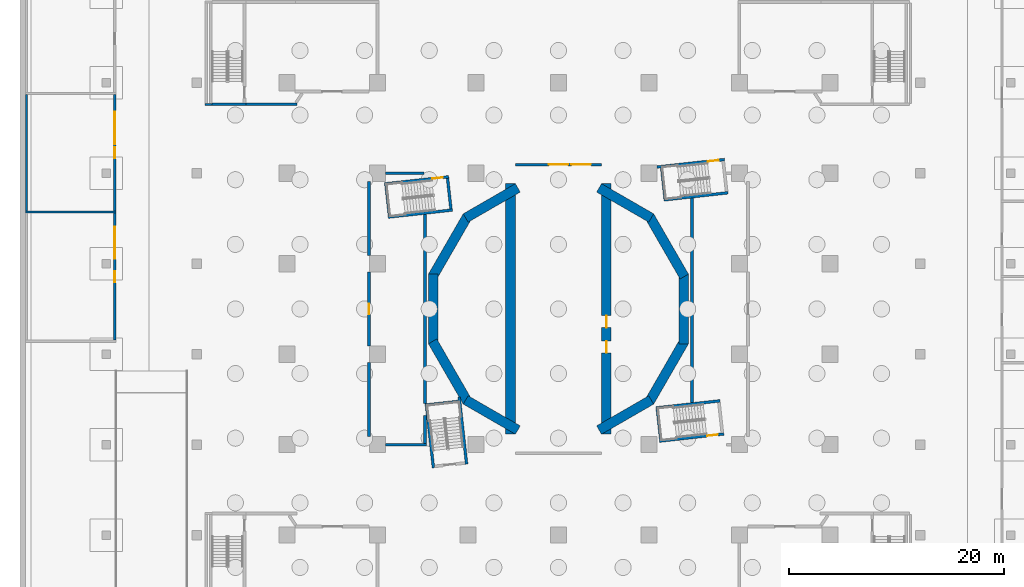
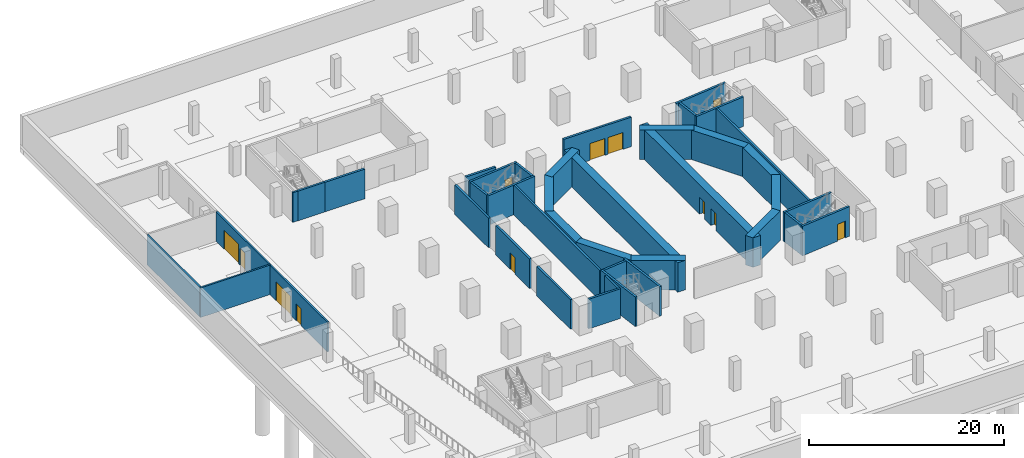
# One storey, part 7 of 20: 41 walls, 12 doors, 12 openings.
"""IFC4 building model written with IfcOpenShell, lengths in metres."""

from ifc_helpers import new_model, si_unit, direction, frame, frame_2d, origin, place, context, subcontext, project, spatial, rectangle, extrude, material, layer, layer_set, type_object, element, fill, save


model = new_model("IFC4")

# Units and contexts
model_context = context("Model", 3, precision=1e-05, world=origin(), true_north=direction((0.0, 1.0)))
body_context = subcontext(model_context, "Body", "Model", "MODEL_VIEW")
ifc_project = project(units=[si_unit("LENGTHUNIT", "METRE"), si_unit("AREAUNIT", "SQUARE_METRE"), si_unit("VOLUMEUNIT", "CUBIC_METRE"), si_unit("PLANEANGLEUNIT", "RADIAN"), si_unit("MASSUNIT", "GRAM", prefix="KILO")], contexts=[model_context])

# Site, building, storey
site_placement = place(None, origin())
site = spatial("IfcSite", under=ifc_project, at=site_placement, CompositionType="ELEMENT")
building_placement = place(site_placement, origin())
building = spatial("IfcBuilding", under=site, at=building_placement, Name="Cantera Rosa Tower", CompositionType="ELEMENT")
storey_placement = place(building_placement, frame((0.0, 0.0, -17.0)))
storey = spatial("IfcBuildingStorey", under=building, at=storey_placement, Name="B4", CompositionType="ELEMENT", Elevation=-17.0)

# Wall
ifc_material_1 = material(Name="Masonry blockwork", Category="masonry")
ifc_layer_1 = layer(ifc_material_1, 0.199951171875)
ifc_layer_set_1 = layer_set([ifc_layer_1], Name="Blockwork partition 200")
wall_type_1 = type_object("IfcWallType", Name="Blockwork partition 200", PredefinedType="PARTITIONING", material=ifc_layer_set_1)
wall_1_placement = place(storey_placement, frame((-32.800048828125, 19.0, 0.0), z_axis=(0.0, 0.0, 1.0), x_axis=(1.0, 0.0, 0.0)))
element("IfcWall", 1, at=wall_1_placement, inside=storey, type_object=wall_type_1, Name="Partition B4-27", PredefinedType="PARTITIONING", context=body_context, shape_type="SweptSolid", body=[
    extrude(rectangle(XDim=0.625, YDim=0.199951171875, at=frame_2d((0.3125, 0.0))), origin(), (0.0, 0.0, 1.0), 3.699951171875),
])

# Wall, openings, doors
wall_2_placement = place(storey_placement, frame((-41.199951171875, -2.89990234375, 0.0), z_axis=(0.0, 0.0, 1.0), x_axis=(0.0, 1.0, 0.0)))
wall_2 = element("IfcWall", 2, at=wall_2_placement, inside=storey, type_object=wall_type_1, Name="Partition B4-81", PredefinedType="PARTITIONING", context=body_context, shape_type="SweptSolid", body=[
    extrude(rectangle(XDim=11.7998046875, YDim=0.199951171875, at=frame_2d((5.89990234375, 0.0))), origin(), (0.0, 0.0, 1.0), 3.699951171875),
])
opening_1_placement = place(wall_2_placement, frame((5.39990234375, 0.0, 0.0)))
opening_1 = element("IfcOpeningElement", 3, at=opening_1_placement, cuts=wall_2, Name="Opening B4-017", PredefinedType="OPENING", context=body_context, shape_type="SweptSolid", body=[
    extrude(rectangle(XDim=1.0, YDim=2.10009765625, at=frame_2d((0.5, 1.050048828125))), frame((0.0, 0.10986328125, 0.0), z_axis=(0.0, -1.0, 0.0), x_axis=(1.0, 0.0, 0.0)), (0.0, 0.0, 1.0), 0.219970703125),
])
opening_2_placement = place(wall_2_placement, frame((7.550048828125, 0.0, 0.0)))
opening_2 = element("IfcOpeningElement", 4, at=opening_2_placement, cuts=wall_2, Name="Opening B4-018", PredefinedType="OPENING", context=body_context, shape_type="SweptSolid", body=[
    extrude(rectangle(XDim=3.0, YDim=2.39990234375, at=frame_2d((1.5, 1.199951171875))), frame((0.0, 0.10986328125, 0.0), z_axis=(0.0, -1.0, 0.0), x_axis=(1.0, 0.0, 0.0)), (0.0, 0.0, 1.0), 0.219970703125),
])
ifc_material_2 = material(Name="Timber", Category="wood")
door_type_1 = type_object("IfcDoorType", Name="Door 1000x2100", OperationType="NOTDEFINED", PredefinedType="DOOR", material=ifc_material_2)
door_1_placement = place(opening_1_placement, origin())
door_1 = element("IfcDoor", 5, at=door_1_placement, inside=storey, type_object=door_type_1, Name="Door B4-017", OverallHeight=2.10009765625, OverallWidth=1.0, PredefinedType="DOOR", context=body_context, shape_type="SweptSolid", body=[
    extrude(rectangle(XDim=1.0, YDim=2.10009765625, at=frame_2d((0.5, 1.050048828125))), frame((0.0, 0.02490234375, 0.0), z_axis=(0.0, -1.0, 0.0), x_axis=(1.0, 0.0, 0.0)), (0.0, 0.0, 1.0), 0.050048828125),
])
fill(opening_1, door_1)
ifc_material_3 = material(Name="Steel S355J2 (EN 10025-2)", Category="steel")
door_type_2 = type_object("IfcDoorType", Name="Roller shutter gate 3000x2400", OperationType="NOTDEFINED", PredefinedType="GATE", material=ifc_material_3)
door_2_placement = place(opening_2_placement, origin())
door_2 = element("IfcDoor", 6, at=door_2_placement, inside=storey, type_object=door_type_2, Name="Door B4-018", OperationType="ROLLINGUP", OverallHeight=2.39990234375, OverallWidth=3.0, PredefinedType="GATE", context=body_context, shape_type="SweptSolid", body=[
    extrude(rectangle(XDim=3.0, YDim=2.39990234375, at=frame_2d((1.5, 1.199951171875))), frame((0.0, 0.02490234375, 0.0), z_axis=(0.0, -1.0, 0.0), x_axis=(1.0, 0.0, 0.0)), (0.0, 0.0, 1.0), 0.050048828125),
])
fill(opening_2, door_2)

wall_3_placement = place(storey_placement, frame((-41.199951171875, 9.10009765625, 0.0), z_axis=(0.0, 0.0, 1.0), x_axis=(0.0, 1.0, 0.0)))
wall_3 = element("IfcWall", 7, at=wall_3_placement, inside=storey, type_object=wall_type_1, Name="Partition B4-82", PredefinedType="PARTITIONING", context=body_context, shape_type="SweptSolid", body=[
    extrude(rectangle(XDim=10.7998046875, YDim=0.199951171875, at=frame_2d((5.39990234375, 0.0))), origin(), (0.0, 0.0, 1.0), 3.699951171875),
])
opening_3_placement = place(wall_3_placement, frame((4.89990234375, 0.0, 0.0)))
opening_3 = element("IfcOpeningElement", 8, at=opening_3_placement, cuts=wall_3, Name="Opening B4-019", PredefinedType="OPENING", context=body_context, shape_type="SweptSolid", body=[
    extrude(rectangle(XDim=1.0, YDim=2.10009765625, at=frame_2d((0.5, 1.050048828125))), frame((0.0, 0.10986328125, 0.0), z_axis=(0.0, -1.0, 0.0), x_axis=(1.0, 0.0, 0.0)), (0.0, 0.0, 1.0), 0.219970703125),
])
opening_4_placement = place(wall_3_placement, frame((6.199951171875, 0.0, 0.0)))
opening_4 = element("IfcOpeningElement", 9, at=opening_4_placement, cuts=wall_3, Name="Opening B4-020", PredefinedType="OPENING", context=body_context, shape_type="SweptSolid", body=[
    extrude(rectangle(XDim=3.0, YDim=2.39990234375, at=frame_2d((1.5, 1.199951171875))), frame((0.0, 0.10986328125, 0.0), z_axis=(0.0, -1.0, 0.0), x_axis=(1.0, 0.0, 0.0)), (0.0, 0.0, 1.0), 0.219970703125),
])
door_3_placement = place(opening_3_placement, origin())
door_3 = element("IfcDoor", 10, at=door_3_placement, inside=storey, type_object=door_type_1, Name="Door B4-019", OverallHeight=2.10009765625, OverallWidth=1.0, PredefinedType="DOOR", context=body_context, shape_type="SweptSolid", body=[
    extrude(rectangle(XDim=1.0, YDim=2.10009765625, at=frame_2d((0.5, 1.050048828125))), frame((0.0, 0.02490234375, 0.0), z_axis=(0.0, -1.0, 0.0), x_axis=(1.0, 0.0, 0.0)), (0.0, 0.0, 1.0), 0.050048828125),
])
fill(opening_3, door_3)
door_4_placement = place(opening_4_placement, origin())
door_4 = element("IfcDoor", 11, at=door_4_placement, inside=storey, type_object=door_type_2, Name="Door B4-020", OperationType="ROLLINGUP", OverallHeight=2.39990234375, OverallWidth=3.0, PredefinedType="GATE", context=body_context, shape_type="SweptSolid", body=[
    extrude(rectangle(XDim=3.0, YDim=2.39990234375, at=frame_2d((1.5, 1.199951171875))), frame((0.0, 0.02490234375, 0.0), z_axis=(0.0, -1.0, 0.0), x_axis=(1.0, 0.0, 0.0)), (0.0, 0.0, 1.0), 0.050048828125),
])
fill(opening_4, door_4)

# Walls
wall_4_placement = place(storey_placement, frame((-49.5, 9.0, 0.0), z_axis=(0.0, 0.0, 1.0), x_axis=(1.0, 0.0, 0.0)))
element("IfcWall", 12, at=wall_4_placement, inside=storey, type_object=wall_type_1, Name="Partition B4-84", PredefinedType="PARTITIONING", context=body_context, shape_type="SweptSolid", body=[
    extrude(rectangle(XDim=8.39990234375, YDim=0.199951171875, at=frame_2d((4.199951171875, 0.0))), origin(), (0.0, 0.0, 1.0), 3.699951171875),
])
wall_5_placement = place(storey_placement, frame((-49.39990234375, 9.10009765625, 0.0), z_axis=(0.0, 0.0, 1.0), x_axis=(0.0, 1.0, 0.0)))
element("IfcWall", 13, at=wall_5_placement, inside=storey, type_object=wall_type_1, Name="Partition B4-86", PredefinedType="PARTITIONING", context=body_context, shape_type="SweptSolid", body=[
    extrude(rectangle(XDim=10.7998046875, YDim=0.199951171875, at=frame_2d((5.39990234375, 0.0))), origin(), (0.0, 0.0, 1.0), 3.699951171875),
])
ifc_material_4 = material(Name="Concrete C70/85", Category="concrete")
ifc_layer_2 = layer(ifc_material_4, 0.89990234375)
ifc_layer_set_2 = layer_set([ifc_layer_2], Name="Drum wall 900")
wall_type_2 = type_object("IfcWallType", Name="Drum wall 900", PredefinedType="SHEAR", material=ifc_layer_set_2)
wall_6_placement = place(storey_placement, frame((-3.77490234375, -11.242919921875, 0.0), z_axis=(0.0, 0.0, 1.0), x_axis=(-0.866026961591, 0.49999730179, 0.0)))
element("IfcWall", 14, at=wall_6_placement, inside=storey, type_object=wall_type_2, Name="Drum wall west 1 B4", PredefinedType="SHEAR", context=body_context, shape_type="SweptSolid", body=[
    extrude(rectangle(XDim=5.58740234375, YDim=0.89990234375, at=frame_2d((2.793701171875, 0.0))), origin(), (0.0, 0.0, 1.0), 3.699951171875),
])
wall_7_placement = place(storey_placement, frame((-8.44921875, -8.61376953125, 0.0), z_axis=(0.0, 0.0, 1.0), x_axis=(-0.499990282633, 0.866031014036, 0.0)))
element("IfcWall", 15, at=wall_7_placement, inside=storey, type_object=wall_type_2, Name="Drum wall west 2 B4", PredefinedType="SHEAR", context=body_context, shape_type="SweptSolid", body=[
    extrude(rectangle(XDim=6.470458984375, YDim=0.89990234375, at=frame_2d((3.2353515625, 0.0))), origin(), (0.0, 0.0, 1.0), 3.699951171875),
])
wall_8_placement = place(storey_placement, frame((-11.6240234375, -3.2353515625, 0.0), z_axis=(0.0, 0.0, 1.0), x_axis=(0.0, 1.0, 0.0)))
element("IfcWall", 16, at=wall_8_placement, inside=storey, type_object=wall_type_2, Name="Drum wall west 3 B4", PredefinedType="SHEAR", context=body_context, shape_type="SweptSolid", body=[
    extrude(rectangle(XDim=6.470703125, YDim=0.89990234375, at=frame_2d((3.2353515625, 0.0))), origin(), (0.0, 0.0, 1.0), 3.699951171875),
])
wall_9_placement = place(storey_placement, frame((-11.684326171875, 3.01025390625, 0.0), z_axis=(0.0, 0.0, 1.0), x_axis=(0.499990282633, 0.866031014036, 0.0)))
element("IfcWall", 17, at=wall_9_placement, inside=storey, type_object=wall_type_2, Name="Drum wall west 4 B4", PredefinedType="SHEAR", context=body_context, shape_type="SweptSolid", body=[
    extrude(rectangle(XDim=6.470458984375, YDim=0.89990234375, at=frame_2d((3.2353515625, 0.0))), origin(), (0.0, 0.0, 1.0), 3.699951171875),
])
wall_10_placement = place(storey_placement, frame((-8.61376953125, 8.44921875, 0.0), z_axis=(0.0, 0.0, 1.0), x_axis=(0.866026961591, 0.49999730179, 0.0)))
element("IfcWall", 18, at=wall_10_placement, inside=storey, type_object=wall_type_2, Name="Drum wall west 5 B4", PredefinedType="SHEAR", context=body_context, shape_type="SweptSolid", body=[
    extrude(rectangle(XDim=5.58740234375, YDim=0.89990234375, at=frame_2d((2.793701171875, 0.0))), origin(), (0.0, 0.0, 1.0), 3.699951171875),
])
wall_11_placement = place(storey_placement, frame((-4.449951171875, 11.632568359375, 0.0), z_axis=(0.0, 0.0, 1.0), x_axis=(0.0, -1.0, 0.0)))
element("IfcWall", 19, at=wall_11_placement, inside=storey, type_object=wall_type_2, Name="Drum wall west 6 B4", PredefinedType="SHEAR", context=body_context, shape_type="SweptSolid", body=[
    extrude(rectangle(XDim=23.26513671875, YDim=0.89990234375, at=frame_2d((11.632568359375, 0.0))), origin(), (0.0, 0.0, 1.0), 3.699951171875),
])
wall_12_placement = place(storey_placement, frame((3.77490234375, 11.242919921875, 0.0), z_axis=(0.0, 0.0, 1.0), x_axis=(0.866026961591, -0.49999730179, 0.0)))
element("IfcWall", 20, at=wall_12_placement, inside=storey, type_object=wall_type_2, Name="Drum wall east 1 B4", PredefinedType="SHEAR", context=body_context, shape_type="SweptSolid", body=[
    extrude(rectangle(XDim=5.58740234375, YDim=0.89990234375, at=frame_2d((2.793701171875, 0.0))), origin(), (0.0, 0.0, 1.0), 3.699951171875),
])
wall_13_placement = place(storey_placement, frame((8.44921875, 8.61376953125, 0.0), z_axis=(0.0, 0.0, 1.0), x_axis=(0.499990282633, -0.866031014036, 0.0)))
element("IfcWall", 21, at=wall_13_placement, inside=storey, type_object=wall_type_2, Name="Drum wall east 2 B4", PredefinedType="SHEAR", context=body_context, shape_type="SweptSolid", body=[
    extrude(rectangle(XDim=6.470458984375, YDim=0.89990234375, at=frame_2d((3.2353515625, 0.0))), origin(), (0.0, 0.0, 1.0), 3.699951171875),
])
wall_14_placement = place(storey_placement, frame((11.6240234375, 3.2353515625, 0.0), z_axis=(0.0, 0.0, 1.0), x_axis=(0.0, -1.0, 0.0)))
element("IfcWall", 22, at=wall_14_placement, inside=storey, type_object=wall_type_2, Name="Drum wall east 3 B4", PredefinedType="SHEAR", context=body_context, shape_type="SweptSolid", body=[
    extrude(rectangle(XDim=6.470703125, YDim=0.89990234375, at=frame_2d((3.2353515625, 0.0))), origin(), (0.0, 0.0, 1.0), 3.699951171875),
])
wall_15_placement = place(storey_placement, frame((11.684326171875, -3.01025390625, 0.0), z_axis=(0.0, 0.0, 1.0), x_axis=(-0.499990282633, -0.866031014036, 0.0)))
element("IfcWall", 23, at=wall_15_placement, inside=storey, type_object=wall_type_2, Name="Drum wall east 4 B4", PredefinedType="SHEAR", context=body_context, shape_type="SweptSolid", body=[
    extrude(rectangle(XDim=6.470458984375, YDim=0.89990234375, at=frame_2d((3.2353515625, 0.0))), origin(), (0.0, 0.0, 1.0), 3.699951171875),
])
wall_16_placement = place(storey_placement, frame((8.61376953125, -8.44921875, 0.0), z_axis=(0.0, 0.0, 1.0), x_axis=(-0.866026961591, -0.49999730179, 0.0)))
element("IfcWall", 24, at=wall_16_placement, inside=storey, type_object=wall_type_2, Name="Drum wall east 5 B4", PredefinedType="SHEAR", context=body_context, shape_type="SweptSolid", body=[
    extrude(rectangle(XDim=5.58740234375, YDim=0.89990234375, at=frame_2d((2.793701171875, 0.0))), origin(), (0.0, 0.0, 1.0), 3.699951171875),
])

# Wall, openings, doors
wall_17_placement = place(storey_placement, frame((4.449951171875, -11.632568359375, 0.0), z_axis=(0.0, 0.0, 1.0), x_axis=(0.0, 1.0, 0.0)))
wall_17 = element("IfcWall", 25, at=wall_17_placement, inside=storey, type_object=wall_type_2, Name="Drum wall east 6 B4", PredefinedType="SHEAR", context=body_context, shape_type="SweptSolid", body=[
    extrude(rectangle(XDim=23.26513671875, YDim=0.89990234375, at=frame_2d((11.632568359375, 0.0))), origin(), (0.0, 0.0, 1.0), 3.699951171875),
])
opening_5_placement = place(wall_17_placement, frame((7.5576171875, 0.0, 0.0)))
opening_5 = element("IfcOpeningElement", 26, at=opening_5_placement, cuts=wall_17, Name="Opening LD-FF1-B4", PredefinedType="OPENING", context=body_context, shape_type="SweptSolid", body=[
    extrude(rectangle(XDim=1.10009765625, YDim=2.10009765625, at=frame_2d((0.550048828125, 1.050048828125))), frame((0.0, 0.4599609375, 0.0), z_axis=(0.0, -1.0, 0.0), x_axis=(1.0, 0.0, 0.0)), (0.0, 0.0, 1.0), 0.919921875),
])
opening_6_placement = place(wall_17_placement, frame((9.907470703125, 0.0, 0.0)))
opening_6 = element("IfcOpeningElement", 27, at=opening_6_placement, cuts=wall_17, Name="Opening LD-FF2-B4", PredefinedType="OPENING", context=body_context, shape_type="SweptSolid", body=[
    extrude(rectangle(XDim=1.10009765625, YDim=2.10009765625, at=frame_2d((0.550048828125, 1.050048828125))), frame((0.0, 0.4599609375, 0.0), z_axis=(0.0, -1.0, 0.0), x_axis=(1.0, 0.0, 0.0)), (0.0, 0.0, 1.0), 0.919921875),
])
ifc_material_5 = material(Name="Steel S355J2 (EN 10025-2)", Category="steel")
door_type_3 = type_object("IfcDoorType", Name="LANDING DOOR 1100x2100", OperationType="NOTDEFINED", PredefinedType="DOOR", material=ifc_material_5)
door_5_placement = place(opening_5_placement, origin())
door_5 = element("IfcDoor", 28, at=door_5_placement, inside=storey, type_object=door_type_3, Name="LANDING DOOR FF1 B4", OperationType="SLIDING_TO_LEFT", OverallHeight=2.10009765625, OverallWidth=1.10009765625, PredefinedType="DOOR", context=body_context, shape_type="SweptSolid", body=[
    extrude(rectangle(XDim=1.10009765625, YDim=2.10009765625, at=frame_2d((0.550048828125, 1.050048828125))), frame((0.0, 0.02490234375, 0.0), z_axis=(0.0, -1.0, 0.0), x_axis=(1.0, 0.0, 0.0)), (0.0, 0.0, 1.0), 0.050048828125),
])
fill(opening_5, door_5)
door_6_placement = place(opening_6_placement, origin())
door_6 = element("IfcDoor", 29, at=door_6_placement, inside=storey, type_object=door_type_3, Name="LANDING DOOR FF2 B4", OperationType="SLIDING_TO_LEFT", OverallHeight=2.10009765625, OverallWidth=1.10009765625, PredefinedType="DOOR", context=body_context, shape_type="SweptSolid", body=[
    extrude(rectangle(XDim=1.10009765625, YDim=2.10009765625, at=frame_2d((0.550048828125, 1.050048828125))), frame((0.0, 0.02490234375, 0.0), z_axis=(0.0, -1.0, 0.0), x_axis=(1.0, 0.0, 0.0)), (0.0, 0.0, 1.0), 0.050048828125),
])
fill(opening_6, door_6)

# Walls
ifc_material_6 = material(Name="Concrete C50/60", Category="concrete")
ifc_layer_3 = layer(ifc_material_6, 0.25)
ifc_layer_set_3 = layer_set([ifc_layer_3], Name="External stair wall 250")
wall_type_3 = type_object("IfcWallType", Name="External stair wall 250", PredefinedType="SOLIDWALL", material=ifc_layer_set_3)
wall_18_placement = place(storey_placement, frame((-29.02490234375, 19.0, 0.0), z_axis=(0.0, 0.0, 1.0), x_axis=(-1.0, 0.0, 0.0)))
element("IfcWall", 30, at=wall_18_placement, inside=storey, type_object=wall_type_3, Name="Stair wall B4-28", PredefinedType="SOLIDWALL", context=body_context, shape_type="SweptSolid", body=[
    extrude(rectangle(XDim=3.150146484375, YDim=0.25, at=frame_2d((1.5751953125, 0.0))), origin(), (0.0, 0.0, 1.0), 3.699951171875),
])
ifc_material_7 = material(Name="Masonry blockwork", Category="masonry")
ifc_layer_4 = layer(ifc_material_7, 0.25)
ifc_layer_set_4 = layer_set([ifc_layer_4], Name="Fire-rated external wall 250")
wall_type_4 = type_object("IfcWallType", Name="Fire-rated external wall 250", PredefinedType="PARTITIONING", material=ifc_layer_set_4)
wall_19_placement = place(storey_placement, frame((-16.050048828125, -12.60009765625, 0.0), z_axis=(0.0, 0.0, 1.0), x_axis=(1.0, 0.0, 0.0)))
element("IfcWall", 31, at=wall_19_placement, inside=storey, type_object=wall_type_4, Name="Fire wall B4-6", PredefinedType="PARTITIONING", context=body_context, shape_type="SweptSolid", body=[
    extrude(rectangle(XDim=3.775146484375, YDim=0.25, at=frame_2d((1.8876953125, 0.0))), origin(), (0.0, 0.0, 1.0), 3.699951171875),
])
wall_20_placement = place(storey_placement, frame((12.39990234375, -8.6923828125, 0.0), z_axis=(0.0, 0.0, 1.0), x_axis=(0.0, 1.0, 0.0)))
element("IfcWall", 32, at=wall_20_placement, inside=storey, type_object=wall_type_4, Name="Fire wall B4-8", PredefinedType="PARTITIONING", context=body_context, shape_type="SweptSolid", body=[
    extrude(rectangle(XDim=18.98486328125, YDim=0.25, at=frame_2d((9.492431640625, 0.0))), origin(), (0.0, 0.0, 1.0), 3.699951171875),
])
wall_21_placement = place(storey_placement, frame((-16.050048828125, 12.60009765625, 0.0), z_axis=(0.0, 0.0, 1.0), x_axis=(1.0, 0.0, 0.0)))
element("IfcWall", 33, at=wall_21_placement, inside=storey, type_object=wall_type_4, Name="Fire wall B4-9", PredefinedType="PARTITIONING", context=body_context, shape_type="SweptSolid", body=[
    extrude(rectangle(XDim=3.560546875, YDim=0.25, at=frame_2d((1.7802734375, 0.0))), origin(), (0.0, 0.0, 1.0), 3.699951171875),
])
wall_22_placement = place(storey_placement, frame((-12.39990234375, -12.47509765625, 0.0), z_axis=(0.0, 0.0, 1.0), x_axis=(0.0, 1.0, 0.0)))
element("IfcWall", 34, at=wall_22_placement, inside=storey, type_object=wall_type_4, Name="Fire wall B4-14", PredefinedType="PARTITIONING", context=body_context, shape_type="SweptSolid", body=[
    extrude(rectangle(XDim=2.594482421875, YDim=0.25, at=frame_2d((1.29736328125, 0.0))), origin(), (0.0, 0.0, 1.0), 3.699951171875),
])
wall_23_placement = place(storey_placement, frame((-12.39990234375, -8.7998046875, 0.0), z_axis=(0.0, 0.0, 1.0), x_axis=(0.0, 1.0, 0.0)))
element("IfcWall", 35, at=wall_23_placement, inside=storey, type_object=wall_type_4, Name="Fire wall B4-15", PredefinedType="PARTITIONING", context=body_context, shape_type="SweptSolid", body=[
    extrude(rectangle(XDim=17.5810546875, YDim=0.25, at=frame_2d((8.79052734375, 0.0))), origin(), (0.0, 0.0, 1.0), 3.699951171875),
])
wall_24_placement = place(storey_placement, frame((-29.02490234375, 19.0, 0.0), z_axis=(0.0, 0.0, 1.0), x_axis=(1.0, 0.0, 0.0)))
element("IfcWall", 36, at=wall_24_placement, inside=storey, type_object=wall_type_4, Name="Fire wall B4-29", PredefinedType="PARTITIONING", context=body_context, shape_type="SweptSolid", body=[
    extrude(rectangle(XDim=4.75, YDim=0.25, at=frame_2d((2.375, 0.0))), origin(), (0.0, 0.0, 1.0), 3.699951171875),
])

# Wall, openings, doors
ifc_material_8 = material(Name="Masonry blockwork", Category="masonry")
ifc_layer_5 = layer(ifc_material_8, 0.25)
ifc_layer_set_5 = layer_set([ifc_layer_5], Name="Fire-rated wall 250")
wall_type_5 = type_object("IfcWallType", Name="Fire-rated wall 250", PredefinedType="PARTITIONING", material=ifc_layer_set_5)
wall_25_placement = place(storey_placement, frame((-4.0, 13.39990234375, 0.0), z_axis=(0.0, 0.0, 1.0), x_axis=(1.0, 0.0, 0.0)))
wall_25 = element("IfcWall", 37, at=wall_25_placement, inside=storey, type_object=wall_type_5, Name="Fire wall B4-1", PredefinedType="PARTITIONING", context=body_context, shape_type="SweptSolid", body=[
    extrude(rectangle(XDim=8.0, YDim=0.25, at=frame_2d((4.0, 0.0))), origin(), (0.0, 0.0, 1.0), 3.699951171875),
])
opening_7_placement = place(wall_25_placement, frame((3.10009765625, 0.0, 0.0)))
opening_7 = element("IfcOpeningElement", 38, at=opening_7_placement, cuts=wall_25, Name="Opening B4-009", PredefinedType="OPENING", context=body_context, shape_type="SweptSolid", body=[
    extrude(rectangle(XDim=1.800048828125, YDim=2.10009765625, at=frame_2d((0.89990234375, 1.050048828125))), frame((0.0, 0.135009765625, 0.0), z_axis=(0.0, -1.0, 0.0), x_axis=(1.0, 0.0, 0.0)), (0.0, 0.0, 1.0), 0.27001953125),
])
opening_8_placement = place(wall_25_placement, frame((5.199951171875, 0.0, 0.0)))
opening_8 = element("IfcOpeningElement", 39, at=opening_8_placement, cuts=wall_25, Name="Opening B4-010", PredefinedType="OPENING", context=body_context, shape_type="SweptSolid", body=[
    extrude(rectangle(XDim=1.800048828125, YDim=2.10009765625, at=frame_2d((0.89990234375, 1.050048828125))), frame((0.0, 0.135009765625, 0.0), z_axis=(0.0, -1.0, 0.0), x_axis=(1.0, 0.0, 0.0)), (0.0, 0.0, 1.0), 0.27001953125),
])
ifc_material_9 = material(Name="Steel S355J2 (EN 10025-2)", Category="steel")
door_type_4 = type_object("IfcDoorType", Name="Fire double door 1800x2100", OperationType="NOTDEFINED", PredefinedType="DOOR", material=ifc_material_9)
door_7_placement = place(opening_7_placement, origin())
door_7 = element("IfcDoor", 40, at=door_7_placement, inside=storey, type_object=door_type_4, Name="Door B4-009", OperationType="DOUBLE_DOOR_SINGLE_SWING", OverallHeight=2.10009765625, OverallWidth=1.800048828125, PredefinedType="DOOR", context=body_context, shape_type="SweptSolid", body=[
    extrude(rectangle(XDim=1.800048828125, YDim=2.10009765625, at=frame_2d((0.89990234375, 1.050048828125))), frame((0.0, 0.02490234375, 0.0), z_axis=(0.0, -1.0, 0.0), x_axis=(1.0, 0.0, 0.0)), (0.0, 0.0, 1.0), 0.050048828125),
])
fill(opening_7, door_7)
door_8_placement = place(opening_8_placement, origin())
door_8 = element("IfcDoor", 41, at=door_8_placement, inside=storey, type_object=door_type_4, Name="Door B4-010", OperationType="DOUBLE_DOOR_SINGLE_SWING", OverallHeight=2.10009765625, OverallWidth=1.800048828125, PredefinedType="DOOR", context=body_context, shape_type="SweptSolid", body=[
    extrude(rectangle(XDim=1.800048828125, YDim=2.10009765625, at=frame_2d((0.89990234375, 1.050048828125))), frame((0.0, 0.02490234375, 0.0), z_axis=(0.0, -1.0, 0.0), x_axis=(1.0, 0.0, 0.0)), (0.0, 0.0, 1.0), 0.050048828125),
])
fill(opening_8, door_8)

# Wall
wall_26_placement = place(storey_placement, frame((-17.60009765625, -11.85009765625, 0.0), z_axis=(0.0, 0.0, 1.0), x_axis=(0.0, 1.0, 0.0)))
element("IfcWall", 42, at=wall_26_placement, inside=storey, type_object=wall_type_5, Name="Fire wall B4-11", PredefinedType="PARTITIONING", context=body_context, shape_type="SweptSolid", body=[
    extrude(rectangle(XDim=6.900146484375, YDim=0.25, at=frame_2d((3.4501953125, 0.0))), origin(), (0.0, 0.0, 1.0), 3.699951171875),
])

# Wall, opening, door
wall_27_placement = place(storey_placement, frame((-17.60009765625, -3.449951171875, 0.0), z_axis=(0.0, 0.0, 1.0), x_axis=(0.0, 1.0, 0.0)))
wall_27 = element("IfcWall", 43, at=wall_27_placement, inside=storey, type_object=wall_type_5, Name="Fire wall B4-12", PredefinedType="PARTITIONING", context=body_context, shape_type="SweptSolid", body=[
    extrude(rectangle(XDim=6.89990234375, YDim=0.25, at=frame_2d((3.449951171875, 0.0))), origin(), (0.0, 0.0, 1.0), 3.699951171875),
])
opening_9_placement = place(wall_27_placement, frame((2.949951171875, 0.0, 0.0)))
opening_9 = element("IfcOpeningElement", 44, at=opening_9_placement, cuts=wall_27, Name="Opening B4-012", PredefinedType="OPENING", context=body_context, shape_type="SweptSolid", body=[
    extrude(rectangle(XDim=1.0, YDim=2.10009765625, at=frame_2d((0.5, 1.050048828125))), frame((0.0, 0.135009765625, 0.0), z_axis=(0.0, -1.0, 0.0), x_axis=(1.0, 0.0, 0.0)), (0.0, 0.0, 1.0), 0.27001953125),
])
ifc_material_10 = material(Name="Steel S355J2 (EN 10025-2)", Category="steel")
door_type_5 = type_object("IfcDoorType", Name="Fire door 1000x2100", OperationType="NOTDEFINED", PredefinedType="DOOR", material=ifc_material_10)
door_9_placement = place(opening_9_placement, origin())
door_9 = element("IfcDoor", 45, at=door_9_placement, inside=storey, type_object=door_type_5, Name="Door B4-012", OverallHeight=2.10009765625, OverallWidth=1.0, PredefinedType="DOOR", context=body_context, shape_type="SweptSolid", body=[
    extrude(rectangle(XDim=1.0, YDim=2.10009765625, at=frame_2d((0.5, 1.050048828125))), frame((0.0, 0.02490234375, 0.0), z_axis=(0.0, -1.0, 0.0), x_axis=(1.0, 0.0, 0.0)), (0.0, 0.0, 1.0), 0.050048828125),
])
fill(opening_9, door_9)

# Walls
wall_28_placement = place(storey_placement, frame((-17.60009765625, 4.949951171875, 0.0), z_axis=(0.0, 0.0, 1.0), x_axis=(0.0, 1.0, 0.0)))
element("IfcWall", 46, at=wall_28_placement, inside=storey, type_object=wall_type_5, Name="Fire wall B4-13", PredefinedType="PARTITIONING", context=body_context, shape_type="SweptSolid", body=[
    extrude(rectangle(XDim=6.900146484375, YDim=0.25, at=frame_2d((3.4501953125, 0.0))), origin(), (0.0, 0.0, 1.0), 3.699951171875),
])
ifc_material_11 = material(Name="Concrete C50/60", Category="concrete")
ifc_layer_6 = layer(ifc_material_11, 0.25)
ifc_layer_set_6 = layer_set([ifc_layer_6], Name="RC stair wall 250 C50/60")
wall_type_6 = type_object("IfcWallType", Name="RC stair wall 250", PredefinedType="SOLIDWALL", material=ifc_layer_set_6)
wall_29_placement = place(storey_placement, frame((15.752685546875, 10.790283203125, 0.0), z_axis=(0.0, 0.0, 1.0), x_axis=(-0.993897125329, -0.110310943534, 0.0)))
element("IfcWall", 47, at=wall_29_placement, inside=storey, type_object=wall_type_6, Name="Stair wall ST-11 B4-2", PredefinedType="SOLIDWALL", context=body_context, shape_type="SweptSolid", body=[
    extrude(rectangle(XDim=6.0, YDim=0.25, at=frame_2d((3.0, 0.0))), origin(), (0.0, 0.0, 1.0), 3.699951171875),
])
wall_30_placement = place(storey_placement, frame((9.899658203125, 10.2666015625, 0.0), z_axis=(0.0, 0.0, 1.0), x_axis=(-0.110252878147, 0.99390356819, 0.0)))
element("IfcWall", 48, at=wall_30_placement, inside=storey, type_object=wall_type_6, Name="Stair wall ST-11 B4-3", PredefinedType="SOLIDWALL", context=body_context, shape_type="SweptSolid", body=[
    extrude(rectangle(XDim=2.849853515625, YDim=0.25, at=frame_2d((1.4248046875, 0.0))), origin(), (0.0, 0.0, 1.0), 3.699951171875),
])

# Wall, opening, door
wall_31_placement = place(storey_placement, frame((9.162353515625, 13.177978515625, 0.0), z_axis=(0.0, 0.0, 1.0), x_axis=(0.993895095647, 0.110329229349, 0.0)))
wall_31 = element("IfcWall", 49, at=wall_31_placement, inside=storey, type_object=wall_type_6, Name="Stair wall ST-11 B4-4", PredefinedType="SOLIDWALL", context=body_context, shape_type="SweptSolid", body=[
    extrude(rectangle(XDim=6.28662109375, YDim=0.25, at=frame_2d((3.143310546875, 0.0))), origin(), (0.0, 0.0, 1.0), 3.699951171875),
])
opening_10_placement = place(wall_31_placement, frame((4.736572265625, 0.0, 0.0)))
opening_10 = element("IfcOpeningElement", 50, at=opening_10_placement, cuts=wall_31, Name="Opening B4-ST-11", PredefinedType="OPENING", context=body_context, shape_type="SweptSolid", body=[
    extrude(rectangle(XDim=1.0, YDim=2.10009765625, at=frame_2d((0.5, 1.050048828125))), frame((0.0, 0.135009765625, 0.0), z_axis=(0.0, -1.0, 0.0), x_axis=(1.0, 0.0, 0.0)), (0.0, 0.0, 1.0), 0.27001953125),
])
ifc_material_12 = material(Name="Steel S355J2 (EN 10025-2)", Category="steel")
door_type_6 = type_object("IfcDoorType", Name="Fire door 1000x2100 EI 120", OperationType="NOTDEFINED", PredefinedType="DOOR", material=ifc_material_12)
door_10_placement = place(opening_10_placement, origin())
door_10 = element("IfcDoor", 51, at=door_10_placement, inside=storey, type_object=door_type_6, Name="Door B4-ST-11", OverallHeight=2.10009765625, OverallWidth=1.0, PredefinedType="DOOR", context=body_context, shape_type="SweptSolid", body=[
    extrude(rectangle(XDim=1.0, YDim=2.10009765625, at=frame_2d((0.5, 1.050048828125))), frame((0.0, 0.02490234375, 0.0), z_axis=(0.0, -1.0, 0.0), x_axis=(1.0, 0.0, 0.0)), (0.0, 0.0, 1.0), 0.050048828125),
])
fill(opening_10, door_10)

# Walls
wall_32_placement = place(storey_placement, frame((-10.2998046875, 12.133544921875, 0.0), z_axis=(0.0, 0.0, 1.0), x_axis=(0.110328108544, -0.993895220063, 0.0)))
element("IfcWall", 52, at=wall_32_placement, inside=storey, type_object=wall_type_6, Name="Stair wall ST-12 B4-1", PredefinedType="SOLIDWALL", context=body_context, shape_type="SweptSolid", body=[
    extrude(rectangle(XDim=2.85009765625, YDim=0.25, at=frame_2d((1.425048828125, 0.0))), origin(), (0.0, 0.0, 1.0), 3.699951171875),
])
wall_33_placement = place(storey_placement, frame((-9.847412109375, 9.1904296875, 0.0), z_axis=(0.0, 0.0, 1.0), x_axis=(-0.993897125329, -0.110310943534, 0.0)))
element("IfcWall", 53, at=wall_33_placement, inside=storey, type_object=wall_type_6, Name="Stair wall ST-12 B4-2", PredefinedType="SOLIDWALL", context=body_context, shape_type="SweptSolid", body=[
    extrude(rectangle(XDim=6.0, YDim=0.25, at=frame_2d((3.0, 0.0))), origin(), (0.0, 0.0, 1.0), 3.699951171875),
])
wall_34_placement = place(storey_placement, frame((-15.7001953125, 8.66650390625, 0.0), z_axis=(0.0, 0.0, 1.0), x_axis=(-0.110328108544, 0.993895220063, 0.0)))
element("IfcWall", 54, at=wall_34_placement, inside=storey, type_object=wall_type_6, Name="Stair wall ST-12 B4-3", PredefinedType="SOLIDWALL", context=body_context, shape_type="SweptSolid", body=[
    extrude(rectangle(XDim=2.85009765625, YDim=0.25, at=frame_2d((1.425048828125, 0.0))), origin(), (0.0, 0.0, 1.0), 3.699951171875),
])

# Wall, opening, door
wall_35_placement = place(storey_placement, frame((-16.152587890625, 11.609619140625, 0.0), z_axis=(0.0, 0.0, 1.0), x_axis=(0.993897125329, 0.110310943534, 0.0)))
wall_35 = element("IfcWall", 55, at=wall_35_placement, inside=storey, type_object=wall_type_6, Name="Stair wall ST-12 B4-4", PredefinedType="SOLIDWALL", context=body_context, shape_type="SweptSolid", body=[
    extrude(rectangle(XDim=6.0, YDim=0.25, at=frame_2d((3.0, 0.0))), origin(), (0.0, 0.0, 1.0), 3.699951171875),
])
opening_11_placement = place(wall_35_placement, frame((4.449951171875, 0.0, 0.0)))
opening_11 = element("IfcOpeningElement", 56, at=opening_11_placement, cuts=wall_35, Name="Opening B4-ST-12", PredefinedType="OPENING", context=body_context, shape_type="SweptSolid", body=[
    extrude(rectangle(XDim=1.0, YDim=2.10009765625, at=frame_2d((0.5, 1.050048828125))), frame((0.0, 0.135009765625, 0.0), z_axis=(0.0, -1.0, 0.0), x_axis=(1.0, 0.0, 0.0)), (0.0, 0.0, 1.0), 0.27001953125),
])
door_11_placement = place(opening_11_placement, origin())
door_11 = element("IfcDoor", 57, at=door_11_placement, inside=storey, type_object=door_type_6, Name="Door B4-ST-12", OverallHeight=2.10009765625, OverallWidth=1.0, PredefinedType="DOOR", context=body_context, shape_type="SweptSolid", body=[
    extrude(rectangle(XDim=1.0, YDim=2.10009765625, at=frame_2d((0.5, 1.050048828125))), frame((0.0, 0.02490234375, 0.0), z_axis=(0.0, -1.0, 0.0), x_axis=(1.0, 0.0, 0.0)), (0.0, 0.0, 1.0), 0.050048828125),
])
fill(opening_11, door_11)

# Walls
wall_36_placement = place(storey_placement, frame((-11.609619140625, -14.752685546875, 0.0), z_axis=(0.0, 0.0, 1.0), x_axis=(-0.110310943534, 0.993897125329, 0.0)))
element("IfcWall", 58, at=wall_36_placement, inside=storey, type_object=wall_type_6, Name="Stair wall ST-13 B4-2", PredefinedType="SOLIDWALL", context=body_context, shape_type="SweptSolid", body=[
    extrude(rectangle(XDim=6.0, YDim=0.25, at=frame_2d((3.0, 0.0))), origin(), (0.0, 0.0, 1.0), 3.699951171875),
])
wall_37_placement = place(storey_placement, frame((-12.133544921875, -8.899658203125, 0.0), z_axis=(0.0, 0.0, 1.0), x_axis=(0.993904609394, 0.110243491536, 0.0)))
element("IfcWall", 59, at=wall_37_placement, inside=storey, type_object=wall_type_6, Name="Stair wall ST-13 B4-3", PredefinedType="SOLIDWALL", context=body_context, shape_type="SweptSolid", body=[
    extrude(rectangle(XDim=2.85009765625, YDim=0.25, at=frame_2d((1.425048828125, 0.0))), origin(), (0.0, 0.0, 1.0), 3.699951171875),
])
wall_38_placement = place(storey_placement, frame((-9.22021484375, -8.17822265625, 0.0), z_axis=(0.0, 0.0, 1.0), x_axis=(0.110299055694, -0.993898444668, 0.0)))
element("IfcWall", 60, at=wall_38_placement, inside=storey, type_object=wall_type_6, Name="Stair wall ST-13 B4-4", PredefinedType="SOLIDWALL", context=body_context, shape_type="SweptSolid", body=[
    extrude(rectangle(XDim=6.270751953125, YDim=0.25, at=frame_2d((3.13525390625, 0.0))), origin(), (0.0, 0.0, 1.0), 3.699951171875),
])

# Wall, opening, door
wall_39_placement = place(storey_placement, frame((15.352783203125, -11.609619140625, 0.0), z_axis=(0.0, 0.0, 1.0), x_axis=(-0.993897125329, -0.110310943534, 0.0)))
wall_39 = element("IfcWall", 61, at=wall_39_placement, inside=storey, type_object=wall_type_6, Name="Stair wall ST-14 B4-2", PredefinedType="SOLIDWALL", context=body_context, shape_type="SweptSolid", body=[
    extrude(rectangle(XDim=6.0, YDim=0.25, at=frame_2d((3.0, 0.0))), origin(), (0.0, 0.0, 1.0), 3.699951171875),
])
opening_12_placement = place(wall_39_placement, frame((0.550048828125, 0.0, 0.0)))
opening_12 = element("IfcOpeningElement", 62, at=opening_12_placement, cuts=wall_39, Name="Opening B4-ST-14", PredefinedType="OPENING", context=body_context, shape_type="SweptSolid", body=[
    extrude(rectangle(XDim=1.0, YDim=2.10009765625, at=frame_2d((0.5, 1.050048828125))), frame((0.0, 0.135009765625, 0.0), z_axis=(0.0, -1.0, 0.0), x_axis=(1.0, 0.0, 0.0)), (0.0, 0.0, 1.0), 0.27001953125),
])
door_12_placement = place(opening_12_placement, origin())
door_12 = element("IfcDoor", 63, at=door_12_placement, inside=storey, type_object=door_type_6, Name="Door B4-ST-14", OverallHeight=2.10009765625, OverallWidth=1.0, PredefinedType="DOOR", context=body_context, shape_type="SweptSolid", body=[
    extrude(rectangle(XDim=1.0, YDim=2.10009765625, at=frame_2d((0.5, 1.050048828125))), frame((0.0, 0.02490234375, 0.0), z_axis=(0.0, -1.0, 0.0), x_axis=(1.0, 0.0, 0.0)), (0.0, 0.0, 1.0), 0.050048828125),
])
fill(opening_12, door_12)

# Walls
wall_40_placement = place(storey_placement, frame((9.499755859375, -12.133544921875, 0.0), z_axis=(0.0, 0.0, 1.0), x_axis=(-0.110328108544, 0.993895220063, 0.0)))
element("IfcWall", 64, at=wall_40_placement, inside=storey, type_object=wall_type_6, Name="Stair wall ST-14 B4-3", PredefinedType="SOLIDWALL", context=body_context, shape_type="SweptSolid", body=[
    extrude(rectangle(XDim=2.85009765625, YDim=0.25, at=frame_2d((1.425048828125, 0.0))), origin(), (0.0, 0.0, 1.0), 3.699951171875),
])
wall_41_placement = place(storey_placement, frame((9.04736328125, -9.1904296875, 0.0), z_axis=(0.0, 0.0, 1.0), x_axis=(0.993897125329, 0.110310943534, 0.0)))
element("IfcWall", 65, at=wall_41_placement, inside=storey, type_object=wall_type_6, Name="Stair wall ST-14 B4-4", PredefinedType="SOLIDWALL", context=body_context, shape_type="SweptSolid", body=[
    extrude(rectangle(XDim=6.0, YDim=0.25, at=frame_2d((3.0, 0.0))), origin(), (0.0, 0.0, 1.0), 3.699951171875),
])

save(model, "model.ifc")
